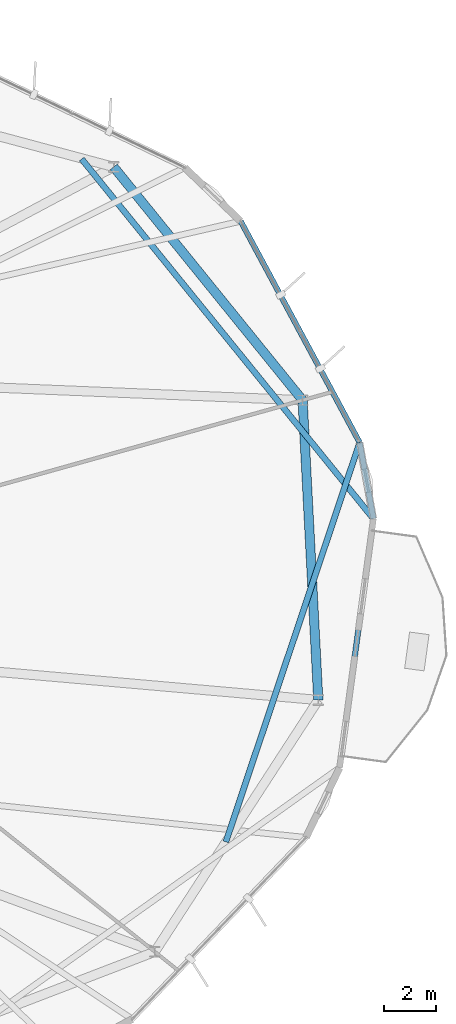
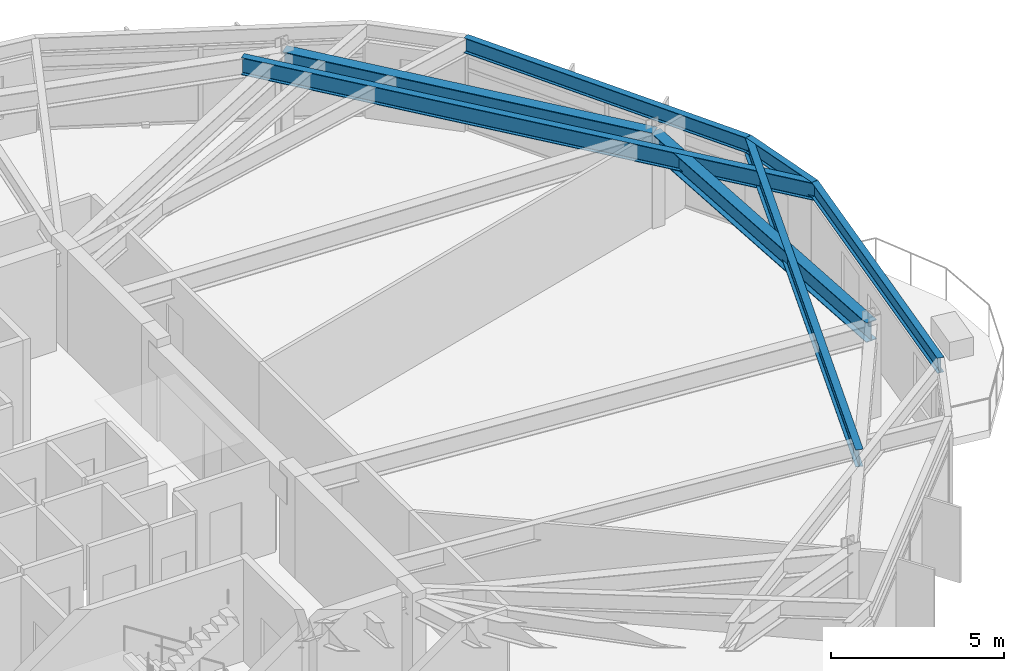
# One storey, part 14 of 27: 7 beams.
"""IFC4 building model written with IfcOpenShell, lengths in metres."""

import ifcopenshell
import ifcopenshell.guid

model = None  # the IFC model being written
_history = None  # IfcOwnerHistory: only IFC2X3 demands one
_inside = {}  # id of a spatial element -> (the spatial element, [elements in it])
_under = {}  # id of a project, library or spatial element -> (it, [spatial elements below it])
_declared = {}  # id of a project -> (the project, [libraries it declares])
_typed = {}  # id of a type object -> (the type object, [elements of that type])
_made_of = {}  # id of a material, layer set ... -> (it, [elements and type objects made of it])


def new_model(schema):
    """Start an empty IFC model of exactly this schema.

    Asked for "IFC4X3", IfcOpenShell would pick the latest addendum, in which some entities
    have other attributes; the version numbers below select the first issue.
    IFC2X3 requires an IfcOwnerHistory on every rooted entity: one is made here for all.
    """
    global model, _history
    if schema == "IFC4X3":
        model = ifcopenshell.file(schema_version=(4, 3, 0, 0))
    else:
        model = ifcopenshell.file(schema=schema)
    _inside.clear()
    _under.clear()
    _declared.clear()
    _typed.clear()
    _made_of.clear()
    _history = None
    if model.schema == "IFC2X3":
        org = make("IfcOrganization", Name="unknown")
        user = make(
            "IfcPersonAndOrganization",
            ThePerson=make("IfcPerson", FamilyName="unknown"),
            TheOrganization=org,
        )
        app = make(
            "IfcApplication",
            ApplicationDeveloper=org,
            Version="unknown",
            ApplicationFullName="unknown",
            ApplicationIdentifier="unknown",
        )
        _history = make(
            "IfcOwnerHistory",
            OwningUser=user,
            OwningApplication=app,
            ChangeAction="ADDED",
            CreationDate=0,
        )
    return model


def make(cls, **values):
    """One entity of the class cls with the attributes given. An attribute that is None is left unset."""
    return model.create_entity(
        cls, **{name: value for name, value in values.items() if value is not None}
    )


def rooted(cls, **values):
    """An entity with a GlobalId (a new one), such as an element, a storey or a relation."""
    return make(cls, GlobalId=ifcopenshell.guid.new(), OwnerHistory=_history, **values)


def si_unit(unit_type, name, prefix=None):
    """IfcSIUnit, for example si_unit("LENGTHUNIT", "METRE", prefix="MILLI")."""
    return make("IfcSIUnit", UnitType=unit_type, Prefix=prefix, Name=name)


def assignment(units):
    """IfcUnitAssignment: the units of a project."""
    return None if units is None else make("IfcUnitAssignment", Units=units)


def point(xyz):
    """IfcCartesianPoint."""
    return None if xyz is None else make("IfcCartesianPoint", Coordinates=xyz)


def direction(xyz):
    """IfcDirection."""
    return None if xyz is None else make("IfcDirection", DirectionRatios=xyz)


def frame(location, z_axis=None, x_axis=None):
    """IfcAxis2Placement3D, a coordinate frame: its origin and axes. An axis left out is left unset."""
    return make(
        "IfcAxis2Placement3D",
        Location=point(location),
        Axis=direction(z_axis),
        RefDirection=direction(x_axis),
    )


def frame_2d(location, x_axis=None):
    """IfcAxis2Placement2D, a coordinate frame in the plane: its origin and x axis."""
    return make(
        "IfcAxis2Placement2D", Location=point(location), RefDirection=direction(x_axis)
    )


def origin():
    """The frame at (0, 0, 0) with its axes left unset."""
    return frame((0.0, 0.0, 0.0))


def origin_2d():
    """The frame at (0, 0) in the plane with its x axis left unset."""
    return frame_2d((0.0, 0.0))


def place(relative_to, where):
    """IfcLocalPlacement: puts the frame where relative to a parent placement (None: the world)."""
    return make(
        "IfcLocalPlacement", PlacementRelTo=relative_to, RelativePlacement=where
    )


def context(
    kind, dimensions, precision=None, world=None, true_north=None, identifier=None
):
    """IfcGeometricRepresentationContext, for example the 3D "Model" context."""
    return make(
        "IfcGeometricRepresentationContext",
        ContextIdentifier=identifier,
        ContextType=kind,
        CoordinateSpaceDimension=dimensions,
        Precision=precision,
        WorldCoordinateSystem=world,
        TrueNorth=true_north,
    )


def subcontext(parent, identifier, kind, view, scale=None):
    """IfcGeometricRepresentationSubContext, for example "Body" below "Model"."""
    return make(
        "IfcGeometricRepresentationSubContext",
        ContextIdentifier=identifier,
        ContextType=kind,
        ParentContext=parent,
        TargetScale=scale,
        TargetView=view,
    )


def project(units=None, contexts=None):
    """IfcProject with its units and contexts."""
    return rooted(
        "IfcProject",
        Name="project",
        RepresentationContexts=contexts,
        UnitsInContext=assignment(units),
    )


def spatial(cls, under=None, at=None, **own):
    """A site, building, storey or space (cls), placed at a placement, below another one or the project."""
    s = rooted(cls, ObjectPlacement=at, **own)
    if under is not None:
        _under.setdefault(under.id(), (under, []))[1].append(s)
    return s


def profile(cls, at=None, kind="AREA", **sizes):
    """A parametric profile (cls). Its sizes go by their IFC names, for example OverallWidth=200.0."""
    return make(cls, ProfileType=kind, Position=at, **sizes)


def i_section(**sizes):
    """IfcIShapeProfileDef."""
    return profile("IfcIShapeProfileDef", **sizes)


def extrude(swept, where, along, depth):
    """IfcExtrudedAreaSolid: the profile swept, set in the frame where, extruded along a direction by depth."""
    return make(
        "IfcExtrudedAreaSolid",
        SweptArea=swept,
        Position=where,
        ExtrudedDirection=direction(along),
        Depth=depth,
    )


def shape(context_of_items, identifier, shape_type, items):
    """IfcShapeRepresentation: the items that make up one representation, for example the "Body"."""
    return make(
        "IfcShapeRepresentation",
        ContextOfItems=context_of_items,
        RepresentationIdentifier=identifier,
        RepresentationType=shape_type,
        Items=items,
    )


def material(Name=None, Category=None):
    """IfcMaterial."""
    return make("IfcMaterial", Name=Name, Category=Category)


def material_profile(
    of_material, cross_section, Name=None, Category=None, Priority=None
):
    """IfcMaterialProfile: a cross section and its material."""
    return make(
        "IfcMaterialProfile",
        Name=Name,
        Material=of_material,
        Profile=cross_section,
        Priority=Priority,
        Category=Category,
    )


def profile_set(profiles, Name=None, composite=None):
    """IfcMaterialProfileSet."""
    return make(
        "IfcMaterialProfileSet",
        Name=Name,
        MaterialProfiles=profiles,
        CompositeProfile=composite,
    )


def made_of(thing, what):
    """Note that an element or type object is made of a material, layer set ...; save() writes the relation."""
    if what is not None:
        _made_of.setdefault(what.id(), (what, []))[1].append(thing)
    return thing


def type_object(cls, material=None, **own):
    """A type object (cls), such as IfcWallType, which elements share."""
    return made_of(rooted(cls, **own), material)


def element(
    cls,
    number,
    at=None,
    inside=None,
    cuts=None,
    type_object=None,
    material=None,
    context=None,
    identifier="Body",
    shape_type=None,
    held_by="IfcProductDefinitionShape",
    body=None,
    shapes=None,
    **own,
):
    """One element of the class cls, such as IfcWall. Its Tag is "e" and its number.

    at: its placement. inside: the storey or other place that contains it. cuts: it is an
    opening in that element (IfcRelVoidsElement). A single representation is given by context,
    identifier, shape_type and body (its items); several are given by shapes. held_by: the class
    of the entity that holds the representations. save() writes the other relations.
    """
    e = rooted(cls, Tag="e%d" % number, ObjectPlacement=at, **own)
    if body is not None:
        shapes = [shape(context, identifier, shape_type, body)]
    if shapes is not None:
        e.Representation = make(held_by, Representations=shapes)
    if inside is not None:
        _inside.setdefault(inside.id(), (inside, []))[1].append(e)
    if cuts is not None:
        rooted(
            "IfcRelVoidsElement", RelatingBuildingElement=cuts, RelatedOpeningElement=e
        )
    if type_object is not None:
        _typed.setdefault(type_object.id(), (type_object, []))[1].append(e)
    return made_of(e, material)


def aggregate(whole, parts):
    """IfcRelAggregates: a whole, such as a stair, and the parts it consists of."""
    return rooted("IfcRelAggregates", RelatingObject=whole, RelatedObjects=parts)


def save(model, path):
    """Write the relations noted so far, then the file.

    IfcRelAggregates (storeys below a building ...), IfcRelContainedInSpatialStructure (elements
    in a storey), IfcRelDefinesByType, IfcRelAssociatesMaterial and IfcRelDeclares: one each for
    every whole, place, type object, material and project.
    """
    for whole, parts in _under.values():
        aggregate(whole, parts)
    for where, things in _inside.values():
        rooted(
            "IfcRelContainedInSpatialStructure",
            RelatedElements=things,
            RelatingStructure=where,
        )
    for kind, things in _typed.values():
        rooted("IfcRelDefinesByType", RelatedObjects=things, RelatingType=kind)
    for what, things in _made_of.values():
        rooted("IfcRelAssociatesMaterial", RelatedObjects=things, RelatingMaterial=what)
    for by, libraries in _declared.values():
        rooted("IfcRelDeclares", RelatingContext=by, RelatedDefinitions=libraries)
    model.write(path)


model = new_model("IFC4")

# Units and contexts
model_context = context("Model", 3, precision=1e-05, world=origin(), true_north=direction((0.0, 1.0)))
body_context = subcontext(model_context, "Body", "Model", "MODEL_VIEW")
ifc_project = project(units=[si_unit("LENGTHUNIT", "METRE"), si_unit("AREAUNIT", "SQUARE_METRE"), si_unit("VOLUMEUNIT", "CUBIC_METRE"), si_unit("PLANEANGLEUNIT", "RADIAN"), si_unit("MASSUNIT", "GRAM", prefix="KILO")], contexts=[model_context])

# Site, building, storey
site_placement = place(None, origin())
site = spatial("IfcSite", under=ifc_project, at=site_placement, CompositionType="ELEMENT")
building_placement = place(site_placement, origin())
building = spatial("IfcBuilding", under=site, at=building_placement, Name="Soratama Intermodal Tower", CompositionType="ELEMENT")
storey_placement = place(building_placement, frame((0.0, 0.0, 208.60009765625)))
storey = spatial("IfcBuildingStorey", under=building, at=storey_placement, Name="L52", CompositionType="ELEMENT", Elevation=208.60009765625)

# Beams
ifc_material_1 = material(Name="Structural steel ASTM A992 Grade 50", Category="steel")
ifc_material_profile_1 = material_profile(ifc_material_1, i_section(OverallWidth=0.35498046875, OverallDepth=0.695068359375, WebThickness=0.015380859375, FlangeThickness=0.02490234375, FilletRadius=0.01611328125, at=origin_2d()), Name="W27X146")
ifc_profile_set_1 = profile_set([ifc_material_profile_1], Name="Structural steel ASTM A992 Grade 50")
beam_type_1 = type_object("IfcBeamType", Name="BM-RING-W27X146", PredefinedType="BEAM", material=ifc_profile_set_1)
for number, where, z_axis, x_axis, name in (
    (1, (62.364990234375, 31.666015625, 2.952392578125), (-0.629384551156, 0.777094001242, 0.0), (-0.777094001242, -0.629384551156, 0.0), "BM-L52-RING-01"),
    (2, (62.966064453125, 20.18603515625, 2.952392578125), (-0.052286849724, 0.998632107108, 0.0), (-0.998632107108, -0.052286849724, 0.0), "BM-L52-RING-10"),
):
    element("IfcBeam", number, at=place(storey_placement, frame(where, z_axis=z_axis, x_axis=x_axis)), inside=storey, type_object=beam_type_1, Name=name, PredefinedType="BEAM", context=body_context, shape_type="SweptSolid", body=[
        extrude(i_section(OverallWidth=0.35498046875, OverallDepth=0.695068359375, WebThickness=0.015380859375, FlangeThickness=0.02490234375, FilletRadius=0.01611328125, at=origin_2d()), origin(), (0.0, 0.0, 1.0), 11.49560546875),
    ])
ifc_material_2 = material(Name="Structural steel ASTM A992 Grade 50", Category="steel")
ifc_material_profile_2 = material_profile(ifc_material_2, i_section(OverallWidth=0.2099609375, OverallDepth=0.537109375, WebThickness=0.010986328125, FlangeThickness=0.017333984375, FilletRadius=0.012939453125, at=origin_2d()), Name="W21X68")
ifc_profile_set_2 = profile_set([ifc_material_profile_2], Name="Structural steel ASTM A992 Grade 50")
beam_type_2 = type_object("IfcBeamType", Name="BM-SPN-W21X68", PredefinedType="SPANDREL", material=ifc_profile_set_2)
beam_1_placement = place(storey_placement, frame((63.782958984375, 17.591064453125, 3.031494140625), z_axis=(0.134684131426, 0.990888583415, 0.0), x_axis=(-0.990888583415, 0.134684131426, 0.0)))
element("IfcBeam", 3, at=beam_1_placement, inside=storey, type_object=beam_type_2, Name="BS-L52-F09", PredefinedType="SPANDREL", context=body_context, shape_type="SweptSolid", body=[
    extrude(i_section(OverallWidth=0.2099609375, OverallDepth=0.537109375, WebThickness=0.010986328125, FlangeThickness=0.017333984375, FilletRadius=0.012939453125, at=origin_2d()), origin(), (0.0, 0.0, 1.0), 9.62353515625),
])
beam_2_placement = place(storey_placement, frame((65.0791015625, 27.126953125, 3.031494140625), z_axis=(-0.17802348241, 0.984026239341, 0.0), x_axis=(-0.984026239341, -0.17802348241, 0.0)))
element("IfcBeam", 4, at=beam_2_placement, inside=storey, type_object=beam_type_2, Name="BS-L52-CRN09", PredefinedType="SPANDREL", context=body_context, shape_type="SweptSolid", body=[
    extrude(i_section(OverallWidth=0.2099609375, OverallDepth=0.537109375, WebThickness=0.010986328125, FlangeThickness=0.017333984375, FilletRadius=0.012939453125, at=origin_2d()), origin(), (0.0, 0.0, 1.0), 2.96630859375),
])
beam_3_placement = place(storey_placement, frame((64.551025390625, 30.0458984375, 3.031494140625), z_axis=(-0.473500679423, 0.880793452851, 0.0), x_axis=(-0.880793452851, -0.473500679423, 0.0)))
element("IfcBeam", 5, at=beam_3_placement, inside=storey, type_object=beam_type_2, Name="BS-L52-F10", PredefinedType="SPANDREL", context=body_context, shape_type="SweptSolid", body=[
    extrude(i_section(OverallWidth=0.2099609375, OverallDepth=0.537109375, WebThickness=0.010986328125, FlangeThickness=0.017333984375, FilletRadius=0.012939453125, at=origin_2d()), origin(), (0.0, 0.0, 1.0), 9.624267578125),
])
ifc_material_3 = material(Name="Structural steel ASTM A992 Grade 50", Category="steel")
ifc_material_profile_3 = material_profile(ifc_material_3, i_section(OverallWidth=0.22900390625, OverallDepth=0.612060546875, WebThickness=0.011962890625, FlangeThickness=0.01953125, FilletRadius=0.012939453125, at=origin_2d()), Name="W24X84")
ifc_profile_set_3 = profile_set([ifc_material_profile_3], Name="Structural steel ASTM A992 Grade 50")
beam_type_3 = type_object("IfcBeamType", Name="BM-TIE-W24X84", PredefinedType="BEAM", material=ifc_profile_set_3)
beam_4_placement = place(storey_placement, frame((53.905029296875, 40.903076171875, 2.993896484375), z_axis=(0.629946262155, -0.776638723473, 0.0), x_axis=(0.776638723473, 0.629946262155, 0.0)))
element("IfcBeam", 6, at=beam_4_placement, inside=storey, type_object=beam_type_3, Name="BM-L52-TIE1-09", PredefinedType="BEAM", context=body_context, shape_type="SweptSolid", body=[
    extrude(i_section(OverallWidth=0.22900390625, OverallDepth=0.612060546875, WebThickness=0.011962890625, FlangeThickness=0.01953125, FilletRadius=0.012939453125, at=origin_2d()), origin(), (0.0, 0.0, 1.0), 17.738037109375),
])
beam_5_placement = place(storey_placement, frame((59.426025390625, 14.751953125, 2.993896484375), z_axis=(0.317734912347, 0.948179585034, 0.0), x_axis=(-0.948179585034, 0.317734912347, 0.0)))
element("IfcBeam", 7, at=beam_5_placement, inside=storey, type_object=beam_type_3, Name="BM-L52-TIE0-10", PredefinedType="BEAM", context=body_context, shape_type="SweptSolid", body=[
    extrude(i_section(OverallWidth=0.22900390625, OverallDepth=0.612060546875, WebThickness=0.011962890625, FlangeThickness=0.01953125, FilletRadius=0.012939453125, at=origin_2d()), origin(), (0.0, 0.0, 1.0), 16.1298828125),
])

save(model, "model.ifc")
